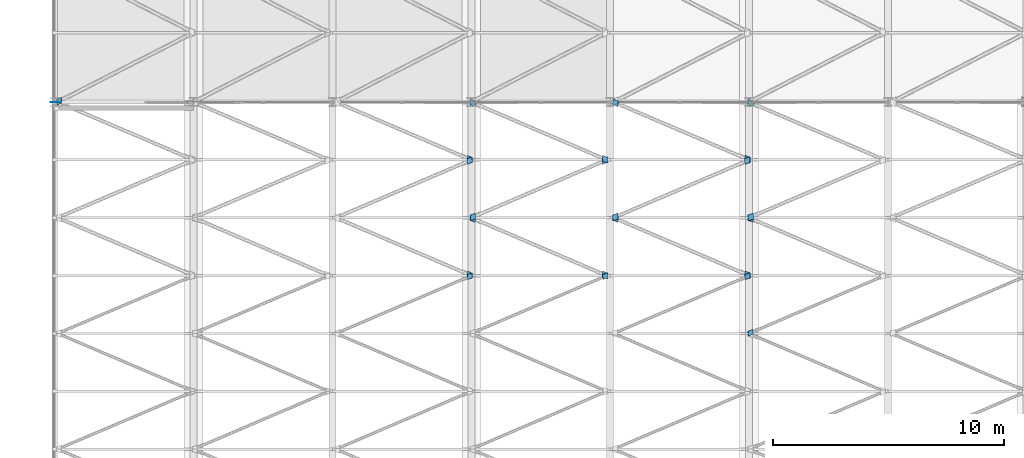
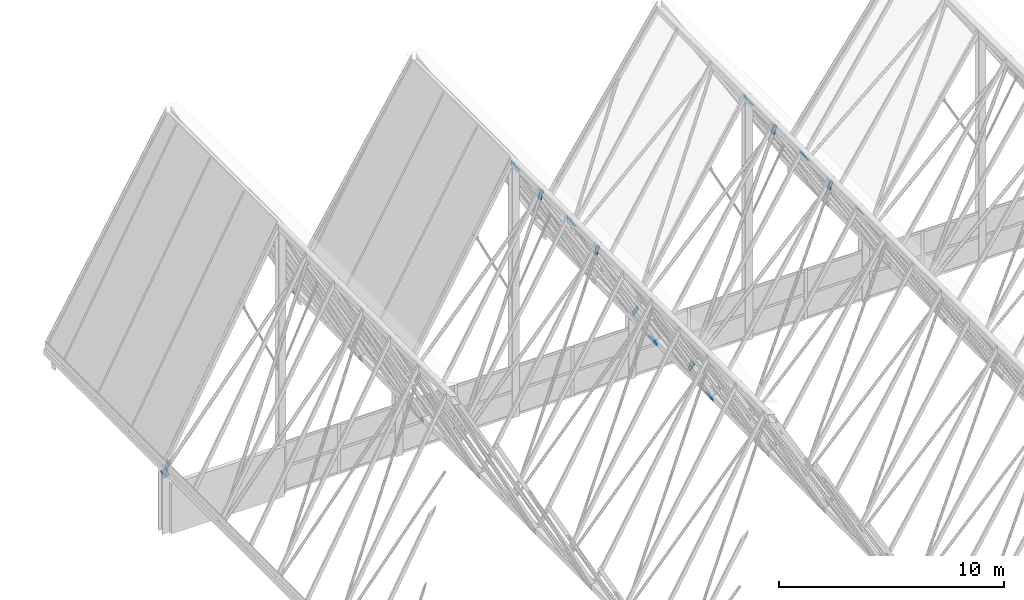
# One storey, part 422 of 483: 24 discrete accessories.
"""IFC4 building model written with IfcOpenShell, lengths in metres."""

from ifc_helpers import new_model, si_unit, direction, frame, origin, place, context, subcontext, project, spatial, polyline, outline, extrude, material, layer, layer_set, type_object, element, save


model = new_model("IFC4")

# Units and contexts
model_context = context("Model", 3, precision=1e-05, world=origin(), true_north=direction((0.0, 1.0)))
body_context = subcontext(model_context, "Body", "Model", "MODEL_VIEW")
ifc_project = project(units=[si_unit("LENGTHUNIT", "METRE"), si_unit("AREAUNIT", "SQUARE_METRE"), si_unit("VOLUMEUNIT", "CUBIC_METRE"), si_unit("PLANEANGLEUNIT", "RADIAN"), si_unit("MASSUNIT", "GRAM", prefix="KILO")], contexts=[model_context])

# Site, building, storey
site_placement = place(None, origin())
site = spatial("IfcSite", under=ifc_project, at=site_placement, CompositionType="ELEMENT")
building_placement = place(site_placement, origin())
building = spatial("IfcBuilding", under=site, at=building_placement, Name="Parallax Yard Mobility Hub", CompositionType="ELEMENT")
storey_placement = place(building_placement, frame((0.0, 0.0, 13.199951171875)))
storey = spatial("IfcBuildingStorey", under=building, at=storey_placement, Name="L04", CompositionType="ELEMENT", Elevation=13.199951171875)

# Discrete accessories
ifc_material = material(Name="Steel ASTM A36", Category="steel")
ifc_layer = layer(ifc_material, 0.011962890625)
ifc_layer_set = layer_set([ifc_layer], Name="Gusset plate PL12")
discrete_accessory_type = type_object("IfcDiscreteAccessoryType", Name="Gusset plate PL12", PredefinedType="BRACKET", material=ifc_layer_set)
discrete_accessory_1_placement = place(storey_placement, frame((32.6943359375, 44.822265625, 3.6826171875), z_axis=(0.868696794053, 0.000898687081, 0.495343388332), x_axis=(0.484443740172, 0.207090539659, -0.849957511286)))
element("IfcDiscreteAccessory", 1, at=discrete_accessory_1_placement, inside=storey, type_object=discrete_accessory_type, Name="Gusset plate PL12 at end 2 of Plate diagonal plate F4-F5 bay 15", PredefinedType="BRACKET", context=body_context, shape_type="SweptSolid", body=[
    extrude(outline(polyline([(0.0, 0.0), (0.41969086710719833, 1.3877787807814457e-17), (0.4197746678267241, 0.21958679105347548), (-0.00012370843850314367, 0.21963060539052376), (0.0, 0.0)])), origin(), (0.0, 0.0, -1.0), 0.011962890625),
])
for number, where, z_axis, x_axis, name in (
    (2, (38.83984375, 44.819091796875, 12.752197265625), (-0.854016692741, 0.000119683392, 0.52024559027), (0.50787179366, 0.216994477704, 0.833654387532), "Gusset plate PL12 at end 2 of Plate diagonal plate F5-F6 bay 15"),
    (3, (39.16015625, 42.680908203125, 12.752197265625), (0.854016692741, -0.000119683392, 0.52024559027), (-0.50787179366, -0.216994477704, 0.833654387532), "Gusset plate PL12 at end 1 of Plate diagonal plate F6-F7 bay 15"),
):
    element("IfcDiscreteAccessory", number, at=place(storey_placement, frame(where, z_axis=z_axis, x_axis=x_axis)), inside=storey, type_object=discrete_accessory_type, Name=name, PredefinedType="BRACKET", context=body_context, shape_type="SweptSolid", body=[
        extrude(outline(polyline([(0.0, 0.0), (0.41966253744663834, 1.3877787807814457e-17), (0.41986748664923856, 0.21954206328546938), (0.00020494920260025196, 0.21954206328546932), (0.0, 0.0)])), origin(), (0.0, 0.0, -1.0), 0.011962890625),
    ])
discrete_accessory_2_placement = place(storey_placement, frame((26.8466796875, 44.822265625, 13.40283203125), z_axis=(-0.868754580943, 0.000345341315, 0.495242727185), x_axis=(0.484568892137, 0.207090666988, 0.84988613615)))
element("IfcDiscreteAccessory", 4, at=discrete_accessory_2_placement, inside=storey, type_object=discrete_accessory_type, Name="Gusset plate PL12 at end 2 of Plate diagonal plate F3-F4 bay 15", PredefinedType="BRACKET", context=body_context, shape_type="SweptSolid", body=[
    extrude(outline(polyline([(0.0, 0.0), (0.4196908714630526, 0.0), (0.4196854746897237, 0.2196055438639963), (-5.3967733288293185e-06, 0.2196055438639963), (0.0, 0.0)])), origin(), (0.0, 0.0, -1.0), 0.011962890625),
])
discrete_accessory_3_placement = place(storey_placement, frame((32.656494140625, 44.954833984375, 3.7490234375), z_axis=(0.868822502561, -0.000185250571, 0.495123645897), x_axis=(0.484371150093, -0.206954967124, -0.850031899719)))
element("IfcDiscreteAccessory", 5, at=discrete_accessory_3_placement, inside=storey, type_object=discrete_accessory_type, Name="Gusset plate PL12 at end 1 of Plate diagonal plate F4-F5 bay 16", PredefinedType="BRACKET", context=body_context, shape_type="SweptSolid", body=[
    extrude(outline(polyline([(0.0, 0.0), (0.44827847543982424, -1.3877787807814457e-17), (0.44839923132840964, 0.248320969253754), (2.501213269813507e-06, 0.24829591413491753), (0.0, 0.0)])), origin(), (0.0, 0.0, -1.0), 0.011962890625),
])
discrete_accessory_4_placement = place(storey_placement, frame((27.191162109375, 47.545166015625, 13.33642578125), z_axis=(0.868732169448, -0.000395523995, 0.495282001821), x_axis=(-0.484488292947, 0.206955078691, 0.849965110696)))
element("IfcDiscreteAccessory", 6, at=discrete_accessory_4_placement, inside=storey, type_object=discrete_accessory_type, Name="Gusset plate PL12 at end 2 of Plate diagonal plate F4-F5 bay 16", PredefinedType="BRACKET", context=body_context, shape_type="SweptSolid", body=[
    extrude(outline(polyline([(0.0, 0.0), (0.4482784570629127, 4.163336342344337e-17), (0.4481916937837529, 0.2482771408203972), (2.464459548427722e-06, 0.2482958809572349), (0.0, 0.0)])), origin(), (0.0, 0.0, -1.0), 0.011962890625),
])
discrete_accessory_5_placement = place(storey_placement, frame((38.799072265625, 44.958740234375, 12.68505859375), z_axis=(-0.854053749903, -5.621258e-06, 0.520184767409), x_axis=(0.507756900761, -0.217291582721, 0.833646986324)))
element("IfcDiscreteAccessory", 7, at=discrete_accessory_5_placement, inside=storey, type_object=discrete_accessory_type, Name="Gusset plate PL12 at end 1 of Plate diagonal plate F5-F6 bay 16", PredefinedType="BRACKET", context=body_context, shape_type="SweptSolid", body=[
    extrude(outline(polyline([(0.0, 0.0), (0.4483013449897423, 0.0), (0.448141954211952, 0.24833042925461576), (-0.0002833548648902215, 0.24830283475137524), (0.0, 0.0)])), origin(), (0.0, 0.0, -1.0), 0.011962890625),
])
discrete_accessory_6_placement = place(storey_placement, frame((33.353515625, 47.541259765625, 3.7431640625), z_axis=(-0.85415450539, -0.000224511175, 0.520019259756), x_axis=(-0.507642916251, 0.217231608169, -0.833732030087)))
element("IfcDiscreteAccessory", 8, at=discrete_accessory_6_placement, inside=storey, type_object=discrete_accessory_type, Name="Gusset plate PL12 at end 2 of Plate diagonal plate F5-F6 bay 16", PredefinedType="BRACKET", context=body_context, shape_type="SweptSolid", body=[
    extrude(outline(polyline([(0.0, 0.0), (0.4484252906700077, 0.0), (0.4483607543485679, 0.24834819820577445), (-0.00014414792149744504, 0.24833040379893354), (0.0, 0.0)])), origin(), (0.0, 0.0, -1.0), 0.011962890625),
])
discrete_accessory_7_placement = place(storey_placement, frame((39.200927734375, 47.541259765625, 12.68505859375), z_axis=(0.854053749903, 5.621258e-06, 0.520184767409), x_axis=(-0.507756900761, 0.217291582721, 0.833646986324)))
element("IfcDiscreteAccessory", 9, at=discrete_accessory_7_placement, inside=storey, type_object=discrete_accessory_type, Name="Gusset plate PL12 at end 2 of Plate diagonal plate F6-F7 bay 16", PredefinedType="BRACKET", context=body_context, shape_type="SweptSolid", body=[
    extrude(outline(polyline([(0.0, 0.0), (0.4483013449897423, 0.0), (0.448141954211952, 0.24833042925461576), (-0.0002833548648902215, 0.24830283475137524), (0.0, 0.0)])), origin(), (0.0, 0.0, -1.0), 0.011962890625),
])
discrete_accessory_8_placement = place(storey_placement, frame((26.808837890625, 44.954833984375, 13.33642578125), z_axis=(-0.868732169448, 0.000395523995, 0.495282001821), x_axis=(0.484488292947, -0.206955078691, 0.849965110696)))
element("IfcDiscreteAccessory", 10, at=discrete_accessory_8_placement, inside=storey, type_object=discrete_accessory_type, Name="Gusset plate PL12 at end 1 of Plate diagonal plate F3-F4 bay 16", PredefinedType="BRACKET", context=body_context, shape_type="SweptSolid", body=[
    extrude(outline(polyline([(0.0, 0.0), (0.4482784570629127, 4.163336342344337e-17), (0.4481916937837529, 0.2482771408203972), (2.464459548427722e-06, 0.2482958809572349), (0.0, 0.0)])), origin(), (0.0, 0.0, -1.0), 0.011962890625),
])
discrete_accessory_9_placement = place(storey_placement, frame((27.165771484375, 47.69775390625, 13.381103515625), z_axis=(0.868732169448, 0.000395523995, 0.495282001821), x_axis=(-0.484483992587, -0.206995986275, 0.849957600467)))
element("IfcDiscreteAccessory", 11, at=discrete_accessory_9_placement, inside=storey, type_object=discrete_accessory_type, Name="Gusset plate PL12 at end 1 of Plate diagonal plate F4-F5 bay 17", PredefinedType="BRACKET", context=body_context, shape_type="SweptSolid", body=[
    extrude(outline(polyline([(0.0, 0.0), (0.4481892297159951, 0.0), (0.448286374207487, 0.2482771369755293), (7.91753644304588e-06, 0.24829588084323018), (0.0, 0.0)])), origin(), (0.0, 0.0, -1.0), 0.011962890625),
])
discrete_accessory_10_placement = place(storey_placement, frame((32.681884765625, 49.80224609375, 3.704345703125), z_axis=(0.868822502561, 0.000185250571, 0.495123645897), x_axis=(0.484376883769, 0.206900299394, -0.850041940484)))
element("IfcDiscreteAccessory", 12, at=discrete_accessory_10_placement, inside=storey, type_object=discrete_accessory_type, Name="Gusset plate PL12 at end 2 of Plate diagonal plate F4-F5 bay 17", PredefinedType="BRACKET", context=body_context, shape_type="SweptSolid", body=[
    extrude(outline(polyline([(0.0, 0.0), (0.44839673081514386, 0.0), (0.4482620994656504, 0.24832096211860205), (-1.637527435451036e-05, 0.2482959136075356), (0.0, 0.0)])), origin(), (0.0, 0.0, -1.0), 0.011962890625),
])
discrete_accessory_11_placement = place(storey_placement, frame((33.325439453125, 47.701171875, 3.697265625), z_axis=(-0.85415450539, 0.000224511175, 0.520019259756), x_axis=(-0.50764739029, -0.217192880489, -0.833739395613)))
element("IfcDiscreteAccessory", 13, at=discrete_accessory_11_placement, inside=storey, type_object=discrete_accessory_type, Name="Gusset plate PL12 at end 1 of Plate diagonal plate F5-F6 bay 17", PredefinedType="BRACKET", context=body_context, shape_type="SweptSolid", body=[
    extrude(outline(polyline([(0.0, 0.0), (0.4485049026230614, 1.3877787807814457e-17), (0.4485595857436242, 0.24834820057078677), (0.00013429542654988524, 0.24833040932254563), (0.0, 0.0)])), origin(), (0.0, 0.0, -1.0), 0.011962890625),
])
for number, where, z_axis, x_axis, name in (
    (14, (38.826904296875, 49.798828125, 12.73095703125), (-0.854053749903, 5.621258e-06, 0.520184767409), (0.507763855086, 0.217231516163, 0.833658404776), "Gusset plate PL12 at end 2 of Plate diagonal plate F5-F6 bay 17"),
    (15, (39.173095703125, 47.701171875, 12.73095703125), (0.854053749903, -5.621258e-06, 0.520184767409), (-0.507763855086, -0.217231516163, 0.833658404776), "Gusset plate PL12 at end 1 of Plate diagonal plate F6-F7 bay 17"),
):
    element("IfcDiscreteAccessory", number, at=place(storey_placement, frame(where, z_axis=z_axis, x_axis=x_axis)), inside=storey, type_object=discrete_accessory_type, Name=name, PredefinedType="BRACKET", context=body_context, shape_type="SweptSolid", body=[
        extrude(outline(polyline([(0.0, 0.0), (0.44842530992587615, -1.3877787807814457e-17), (0.44856941932944777, 0.24833043859277817), (0.00026807518850466977, 0.24830285171790017), (0.0, 0.0)])), origin(), (0.0, 0.0, -1.0), 0.011962890625),
    ])
discrete_accessory_12_placement = place(storey_placement, frame((26.834228515625, 49.80224609375, 13.381103515625), z_axis=(-0.868732169448, -0.000395523995, 0.495282001821), x_axis=(0.484483992587, 0.206995986275, 0.849957600467)))
element("IfcDiscreteAccessory", 16, at=discrete_accessory_12_placement, inside=storey, type_object=discrete_accessory_type, Name="Gusset plate PL12 at end 2 of Plate diagonal plate F3-F4 bay 17", PredefinedType="BRACKET", context=body_context, shape_type="SweptSolid", body=[
    extrude(outline(polyline([(0.0, 0.0), (0.4481892297159951, 0.0), (0.448286374207487, 0.2482771369755293), (7.91753644304588e-06, 0.24829588084323018), (0.0, 0.0)])), origin(), (0.0, 0.0, -1.0), 0.011962890625),
])
discrete_accessory_13_placement = place(storey_placement, frame((32.656494140625, 49.954833984375, 3.7490234375), z_axis=(0.868822502561, -0.000185250571, 0.495123645897), x_axis=(0.484371150093, -0.206954967124, -0.850031899719)))
element("IfcDiscreteAccessory", 17, at=discrete_accessory_13_placement, inside=storey, type_object=discrete_accessory_type, Name="Gusset plate PL12 at end 1 of Plate diagonal plate F4-F5 bay 18", PredefinedType="BRACKET", context=body_context, shape_type="SweptSolid", body=[
    extrude(outline(polyline([(0.0, 0.0), (0.44827847543982424, -1.3877787807814457e-17), (0.44839923132840964, 0.248320969253754), (2.501213269813507e-06, 0.24829591413491753), (0.0, 0.0)])), origin(), (0.0, 0.0, -1.0), 0.011962890625),
])
discrete_accessory_14_placement = place(storey_placement, frame((27.191162109375, 52.545166015625, 13.33642578125), z_axis=(0.868732169448, -0.000395523995, 0.495282001821), x_axis=(-0.484488292947, 0.206955078691, 0.849965110696)))
element("IfcDiscreteAccessory", 18, at=discrete_accessory_14_placement, inside=storey, type_object=discrete_accessory_type, Name="Gusset plate PL12 at end 2 of Plate diagonal plate F4-F5 bay 18", PredefinedType="BRACKET", context=body_context, shape_type="SweptSolid", body=[
    extrude(outline(polyline([(0.0, 0.0), (0.4482784570629127, 4.163336342344337e-17), (0.4481916937837529, 0.2482771408203972), (2.464459548427722e-06, 0.2482958809572349), (0.0, 0.0)])), origin(), (0.0, 0.0, -1.0), 0.011962890625),
])
discrete_accessory_15_placement = place(storey_placement, frame((38.799072265625, 49.958740234375, 12.68505859375), z_axis=(-0.854053749903, -5.621258e-06, 0.520184767409), x_axis=(0.507756900761, -0.217291582721, 0.833646986324)))
element("IfcDiscreteAccessory", 19, at=discrete_accessory_15_placement, inside=storey, type_object=discrete_accessory_type, Name="Gusset plate PL12 at end 1 of Plate diagonal plate F5-F6 bay 18", PredefinedType="BRACKET", context=body_context, shape_type="SweptSolid", body=[
    extrude(outline(polyline([(0.0, 0.0), (0.4483013449897423, 0.0), (0.448141954211952, 0.24833042925461576), (-0.0002833548648902215, 0.24830283475137524), (0.0, 0.0)])), origin(), (0.0, 0.0, -1.0), 0.011962890625),
])
discrete_accessory_16_placement = place(storey_placement, frame((33.353515625, 52.541259765625, 3.7431640625), z_axis=(-0.85415450539, -0.000224511175, 0.520019259756), x_axis=(-0.507642916251, 0.217231608169, -0.833732030087)))
element("IfcDiscreteAccessory", 20, at=discrete_accessory_16_placement, inside=storey, type_object=discrete_accessory_type, Name="Gusset plate PL12 at end 2 of Plate diagonal plate F5-F6 bay 18", PredefinedType="BRACKET", context=body_context, shape_type="SweptSolid", body=[
    extrude(outline(polyline([(0.0, 0.0), (0.4484252906700077, 0.0), (0.4483607543485679, 0.24834819820577445), (-0.00014414792149744504, 0.24833040379893354), (0.0, 0.0)])), origin(), (0.0, 0.0, -1.0), 0.011962890625),
])
discrete_accessory_17_placement = place(storey_placement, frame((39.200927734375, 52.541259765625, 12.68505859375), z_axis=(0.854053749903, 5.621258e-06, 0.520184767409), x_axis=(-0.507756900761, 0.217291582721, 0.833646986324)))
element("IfcDiscreteAccessory", 21, at=discrete_accessory_17_placement, inside=storey, type_object=discrete_accessory_type, Name="Gusset plate PL12 at end 2 of Plate diagonal plate F6-F7 bay 18", PredefinedType="BRACKET", context=body_context, shape_type="SweptSolid", body=[
    extrude(outline(polyline([(0.0, 0.0), (0.4483013449897423, 0.0), (0.448141954211952, 0.24833042925461576), (-0.0002833548648902215, 0.24830283475137524), (0.0, 0.0)])), origin(), (0.0, 0.0, -1.0), 0.011962890625),
])
discrete_accessory_18_placement = place(storey_placement, frame((26.808837890625, 49.954833984375, 13.33642578125), z_axis=(-0.868732169448, 0.000395523995, 0.495282001821), x_axis=(0.484488292947, -0.206955078691, 0.849965110696)))
element("IfcDiscreteAccessory", 22, at=discrete_accessory_18_placement, inside=storey, type_object=discrete_accessory_type, Name="Gusset plate PL12 at end 1 of Plate diagonal plate F3-F4 bay 18", PredefinedType="BRACKET", context=body_context, shape_type="SweptSolid", body=[
    extrude(outline(polyline([(0.0, 0.0), (0.4482784570629127, 4.163336342344337e-17), (0.4481916937837529, 0.2482771408203972), (2.464459548427722e-06, 0.2482958809572349), (0.0, 0.0)])), origin(), (0.0, 0.0, -1.0), 0.011962890625),
])
discrete_accessory_19_placement = place(storey_placement, frame((9.2822265625, 52.70703125, 3.65625), z_axis=(-0.881445837463, -0.0001896454, 0.472285083031), x_axis=(-0.459047651077, -0.234754899824, -0.856834517891)))
element("IfcDiscreteAccessory", 23, at=discrete_accessory_19_placement, inside=storey, type_object=discrete_accessory_type, Name="Gusset plate PL12 at end 1 of Plate diagonal plate F1-F2 bay 19", PredefinedType="BRACKET", context=body_context, shape_type="SweptSolid", body=[
    extrude(outline(polyline([(0.0, 0.0), (0.4482317451963925, 0.0), (0.4482635341850255, 0.24813780159231913), (-0.0001773991260864763, 0.24818829882693788), (0.0, 0.0)])), origin(), (0.0, 0.0, -1.0), 0.011962890625),
])
discrete_accessory_20_placement = place(storey_placement, frame((9.002685546875, 52.5, 2.85498046875), z_axis=(0.0, 1.0, 0.0), x_axis=(-0.341782322268, 0.0, 0.939779146494)))
element("IfcDiscreteAccessory", 24, at=discrete_accessory_20_placement, inside=storey, type_object=discrete_accessory_type, Name="Gusset plate PL12 at end 2 of X brace west end bay north face level 0 2", PredefinedType="BRACKET", context=body_context, shape_type="SweptSolid", body=[
    extrude(outline(polyline([(0.0, 0.0), (0.49930697334641216, 0.0), (0.49908589131067727, 0.29919203795634136), (9.179918222466943e-05, 0.29904604263792683), (0.0, 0.0)])), origin(), (0.0, 0.0, -1.0), 0.011962890625),
])

save(model, "model.ifc")
